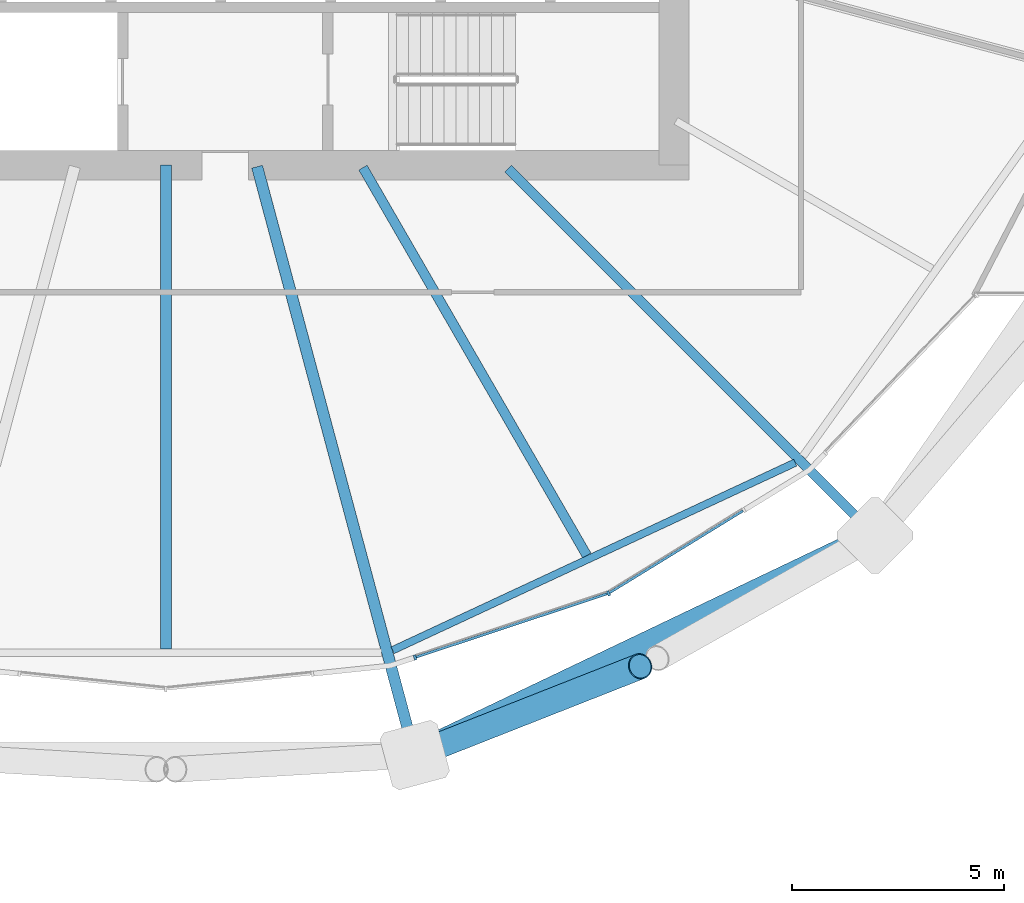
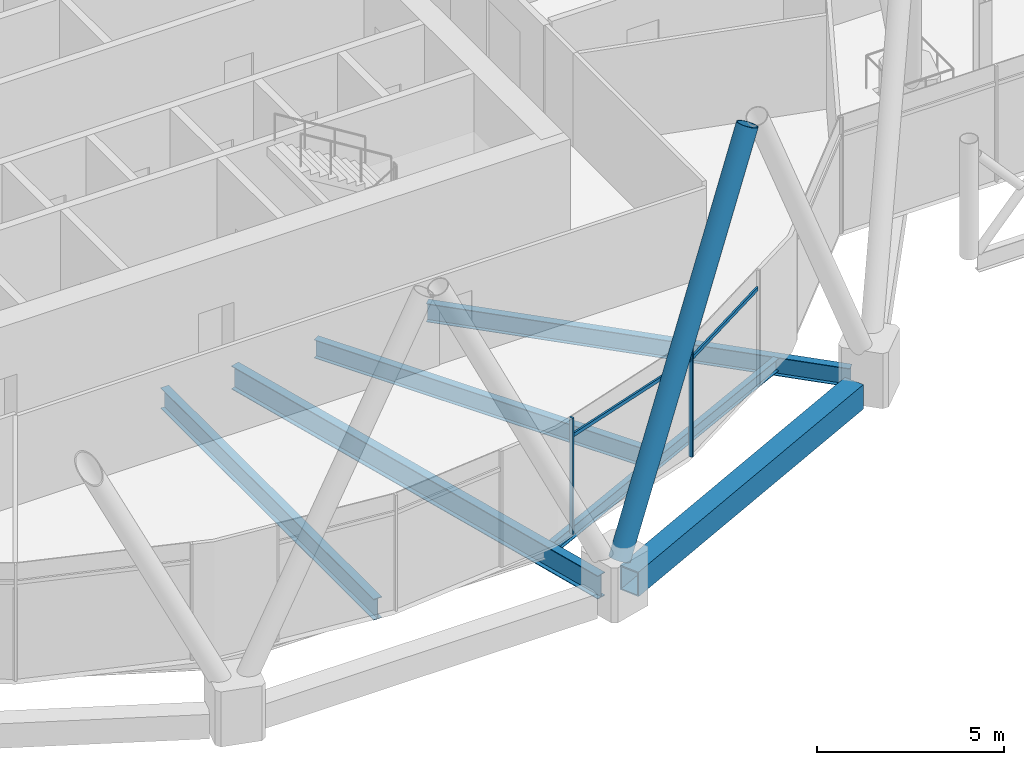
# One storey, part 4 of 35: 6 beams, 5 members, 1 element without a shape of its own.
"""IFC4 building model written with IfcOpenShell, lengths in metres."""

from ifc_helpers import new_model, si_unit, direction, frame, origin, origin_2d, place, context, subcontext, project, spatial, rectangle, hollow_rectangle, hollow_circle, i_section, extrude, material, material_profile, profile_set, type_object, element, aggregate, save


model = new_model("IFC4")

# Units and contexts
model_context = context("Model", 3, precision=1e-05, world=origin(), true_north=direction((0.0, 1.0)))
body_context = subcontext(model_context, "Body", "Model", "MODEL_VIEW")
ifc_project = project(units=[si_unit("LENGTHUNIT", "METRE"), si_unit("AREAUNIT", "SQUARE_METRE"), si_unit("VOLUMEUNIT", "CUBIC_METRE"), si_unit("PLANEANGLEUNIT", "RADIAN"), si_unit("MASSUNIT", "GRAM", prefix="KILO")], contexts=[model_context])

# Site, building, storey
site_placement = place(None, origin())
site = spatial("IfcSite", under=ifc_project, at=site_placement, CompositionType="ELEMENT")
building_placement = place(site_placement, origin())
building = spatial("IfcBuilding", under=site, at=building_placement, Name="Rimbun Link Towers", CompositionType="ELEMENT")
storey_placement = place(building_placement, frame((0.0, 0.0, 146.800048828125)))
storey = spatial("IfcBuildingStorey", under=building, at=storey_placement, Name="L35", CompositionType="ELEMENT", Elevation=146.800048828125)

# Curtain wall, members
ifc_material_1 = material(Name="Aluminium 6063-T6 and low-iron glass", Category="aluminium")
curtain_wall_type = type_object("IfcCurtainWallType", Name="CW4 link block wall", PredefinedType="NOTDEFINED", material=ifc_material_1)
curtain_wall_placement = place(storey_placement, origin())
curtain_wall = element("IfcCurtainWall", 1, at=curtain_wall_placement, inside=storey, type_object=curtain_wall_type, Name="CW4 L35 T1", PredefinedType="NOTDEFINED")
ifc_material_2 = material(Name="Aluminium 6063-T6", Category="aluminium")
ifc_material_profile_1 = material_profile(ifc_material_2, rectangle(XDim=0.1201171875, YDim=0.06005859375, at=origin_2d()), Name="MULLION 60X120")
ifc_profile_set_1 = profile_set([ifc_material_profile_1], Name="Aluminium 6063-T6")
member_type_1 = type_object("IfcMemberType", Name="CW4 mullion 60X120", PredefinedType="MULLION", material=ifc_profile_set_1)
member_1_placement = place(storey_placement, frame((-21.29931640625, -18.11181640625, 0.0), z_axis=(0.0, 0.0, 1.0), x_axis=(0.421697332152, -0.906736654192, 0.0)))
member_1 = element("IfcMember", 2, at=member_1_placement, type_object=member_type_1, Name="CW4 mullion", PredefinedType="MULLION", context=body_context, shape_type="SweptSolid", body=[
    extrude(rectangle(XDim=0.1201171875, YDim=0.06005859375, at=origin_2d()), origin(), (0.0, 0.0, 1.0), 3.800048828125),
])
member_2_placement = place(storey_placement, frame((-25.867431640625, -19.626220703125, 0.0), z_axis=(0.0, 0.0, 1.0), x_axis=(0.314567961741, -0.949234953763, 0.0)))
member_2 = element("IfcMember", 3, at=member_2_placement, type_object=member_type_1, Name="CW4 mullion", PredefinedType="MULLION", context=body_context, shape_type="SweptSolid", body=[
    extrude(rectangle(XDim=0.1201171875, YDim=0.06005859375, at=origin_2d()), origin(), (0.0, 0.0, 1.0), 3.800048828125),
])
ifc_material_3 = material(Name="Aluminium 6063-T6", Category="aluminium")
ifc_material_profile_2 = material_profile(ifc_material_3, rectangle(XDim=0.06005859375, YDim=0.1201171875, at=origin_2d()), Name="TRANSOM 60X120")
ifc_profile_set_2 = profile_set([ifc_material_profile_2], Name="Aluminium 6063-T6")
member_type_2 = type_object("IfcMemberType", Name="CW4 transom 60X120", PredefinedType="USERDEFINED", material=ifc_profile_set_2)
member_3_placement = place(storey_placement, frame((-21.334716796875, -18.1220703125, 3.199951171875), z_axis=(-0.949232304469, -0.314575956093, 0.0), x_axis=(0.314575956093, -0.949232304469, 0.0)))
member_3 = element("IfcMember", 4, at=member_3_placement, type_object=member_type_2, Name="CW4 transom", ObjectType="TRANSOM", PredefinedType="USERDEFINED", context=body_context, shape_type="SweptSolid", body=[
    extrude(rectangle(XDim=0.06005859375, YDim=0.1201171875, at=origin_2d()), origin(), (0.0, 0.0, 1.0), 4.745849609375),
])
member_4_placement = place(storey_placement, frame((-18.125, -16.1611328125, 3.199951171875), z_axis=(-0.85218054514, -0.523247855691, 0.0), x_axis=(0.523247855691, -0.85218054514, 0.0)))
member_4 = element("IfcMember", 5, at=member_4_placement, type_object=member_type_2, Name="CW4 transom", ObjectType="TRANSOM", PredefinedType="USERDEFINED", context=body_context, shape_type="SweptSolid", body=[
    extrude(rectangle(XDim=0.06005859375, YDim=0.1201171875, at=origin_2d()), origin(), (0.0, 0.0, 1.0), 3.688720703125),
])
aggregate(curtain_wall, [member_1, member_2, member_3, member_4])

# Member
ifc_material_4 = material(Name="Steel S355J2H", Category="steel")
ifc_material_profile_3 = material_profile(ifc_material_4, hollow_circle(Radius=0.3046875, WallThickness=0.02490234375, at=origin_2d()), Name="Diagrid diagonal CHS 610x25")
ifc_profile_set_3 = profile_set([ifc_material_profile_3], Name="Steel S355J2H")
member_type_3 = type_object("IfcMemberType", Name="Diagrid diagonal CHS 610x25", PredefinedType="BRACE", material=ifc_profile_set_3)
member_5_placement = place(storey_placement, frame((-25.66845703125, -21.8505859375, 0.44873046875), z_axis=(0.410123535284, 0.161506315636, 0.897615951182), x_axis=(-0.366411586926, 0.93045287305, 0.0)))
element("IfcMember", 6, at=member_5_placement, inside=storey, type_object=member_type_3, Name="Diagrid diagonal T1 L35-L38 19b", PredefinedType="BRACE", context=body_context, shape_type="SweptSolid", body=[
    extrude(hollow_circle(Radius=0.3046875, WallThickness=0.02490234375, at=origin_2d()), origin(), (0.0, 0.0, 1.0), 12.480224609375),
])

# Beams
ifc_material_5 = material(Name="Steel S355J2", Category="steel")
ifc_material_profile_4 = material_profile(ifc_material_5, hollow_rectangle(XDim=0.60009765625, YDim=0.800048828125, WallThickness=0.0400390625, at=origin_2d()), Name="Exoskeleton ring girder BOX 600x800x40")
ifc_profile_set_4 = profile_set([ifc_material_profile_4], Name="Steel S355J2")
beam_type_1 = type_object("IfcBeamType", Name="Exoskeleton ring girder BOX 600x800x40", PredefinedType="BEAM", material=ifc_profile_set_4)
beam_1_placement = place(storey_placement, frame((-25.24169921875, -21.6298828125, -0.56005859375), z_axis=(0.902515488707, 0.4306573959, 0.0), x_axis=(-0.4306573959, 0.902515488707, 0.0)))
element("IfcBeam", 7, at=beam_1_placement, inside=storey, type_object=beam_type_1, Name="Exoskeleton ring girder L35 07", PredefinedType="BEAM", context=body_context, shape_type="SweptSolid", body=[
    extrude(hollow_rectangle(XDim=0.60009765625, YDim=0.800048828125, WallThickness=0.0400390625, at=origin_2d()), origin(), (0.0, 0.0, 1.0), 10.642333984375),
])
ifc_material_6 = material(Name="Steel S355J2", Category="steel")
ifc_material_profile_5 = material_profile(ifc_material_6, i_section(OverallWidth=0.177978515625, OverallDepth=0.406494140625, WebThickness=0.0078125, FlangeThickness=0.0126953125, at=origin_2d()), Name="UB 406x178x60")
ifc_profile_set_5 = profile_set([ifc_material_profile_5], Name="Steel S355J2")
beam_type_2 = type_object("IfcBeamType", Name="UB 406x178x60", PredefinedType="BEAM", material=ifc_profile_set_5)
beam_2_placement = place(storey_placement, frame((-26.397705078125, -19.455810546875, -0.38330078125), z_axis=(0.906398229698, 0.422424252618, 0.0), x_axis=(-0.422424252618, 0.906398229698, 0.0)))
element("IfcBeam", 8, at=beam_2_placement, inside=storey, type_object=beam_type_2, Name="Edge beam T1 L35 19-21", PredefinedType="BEAM", context=body_context, shape_type="SweptSolid", body=[
    extrude(i_section(OverallWidth=0.177978515625, OverallDepth=0.406494140625, WebThickness=0.0078125, FlangeThickness=0.0126953125, at=origin_2d()), origin(), (0.0, 0.0, 1.0), 10.491455078125),
])
ifc_material_7 = material(Name="Steel S355J2", Category="steel")
ifc_material_profile_6 = material_profile(ifc_material_7, i_section(OverallWidth=0.2275390625, OverallDepth=0.6025390625, WebThickness=0.010498046875, FlangeThickness=0.014892578125, at=origin_2d()), Name="UB 610x229x101")
ifc_profile_set_6 = profile_set([ifc_material_profile_6], Name="Steel S355J2")
beam_type_3 = type_object("IfcBeamType", Name="UB 610x229x101", PredefinedType="BEAM", material=ifc_profile_set_6)
beam_3_placement = place(storey_placement, frame((-27.097900390625, -8.057861328125, -0.4814453125), z_axis=(0.500014158692, -0.866017229106, 0.0), x_axis=(0.866017229106, 0.500014158692, 0.0)))
element("IfcBeam", 9, at=beam_3_placement, inside=storey, type_object=beam_type_3, Name="Radial beam T1 L35 20", PredefinedType="BEAM", context=body_context, shape_type="SweptSolid", body=[
    extrude(i_section(OverallWidth=0.2275390625, OverallDepth=0.6025390625, WebThickness=0.010498046875, FlangeThickness=0.014892578125, at=origin_2d()), origin(), (0.0, 0.0, 1.0), 10.577392578125),
])
beam_4_placement = place(storey_placement, frame((-23.668701171875, -8.081298828125, -0.4814453125), z_axis=(0.707106781187, -0.707106781187, 0.0), x_axis=(0.707106781187, 0.707106781187, 0.0)))
element("IfcBeam", 10, at=beam_4_placement, inside=storey, type_object=beam_type_3, Name="Radial beam T1 L35 21", PredefinedType="BEAM", context=body_context, shape_type="SweptSolid", body=[
    extrude(i_section(OverallWidth=0.2275390625, OverallDepth=0.6025390625, WebThickness=0.010498046875, FlangeThickness=0.014892578125, at=origin_2d()), origin(), (0.0, 0.0, 1.0), 11.75244140625),
])
ifc_material_8 = material(Name="Steel S355J2", Category="steel")
ifc_material_profile_7 = material_profile(ifc_material_8, i_section(OverallWidth=0.253662109375, OverallDepth=0.68359375, WebThickness=0.012451171875, FlangeThickness=0.01904296875, at=origin_2d()), Name="UB 686x254x140")
ifc_profile_set_7 = profile_set([ifc_material_profile_7], Name="Steel S355J2")
beam_type_4 = type_object("IfcBeamType", Name="UB 686x254x140", PredefinedType="BEAM", material=ifc_profile_set_7)
beam_5_placement = place(storey_placement, frame((-31.75, -8.0009765625, -0.521728515625), z_axis=(0.0, -1.0, 0.0), x_axis=(1.0, 0.0, 0.0)))
element("IfcBeam", 11, at=beam_5_placement, inside=storey, type_object=beam_type_4, Name="Radial beam T1 L35 18", PredefinedType="BEAM", context=body_context, shape_type="SweptSolid", body=[
    extrude(i_section(OverallWidth=0.253662109375, OverallDepth=0.68359375, WebThickness=0.012451171875, FlangeThickness=0.01904296875, at=origin_2d()), origin(), (0.0, 0.0, 1.0), 11.422607421875),
])
ifc_material_9 = material(Name="Steel S355J2", Category="steel")
ifc_material_profile_8 = material_profile(ifc_material_9, i_section(OverallWidth=0.2666015625, OverallDepth=0.76220703125, WebThickness=0.014404296875, FlangeThickness=0.021484375, at=origin_2d()), Name="UB 762x267x173")
ifc_profile_set_8 = profile_set([ifc_material_profile_8], Name="Steel S355J2")
beam_type_5 = type_object("IfcBeamType", Name="UB 762x267x173", PredefinedType="BEAM", material=ifc_profile_set_8)
beam_6_placement = place(storey_placement, frame((-29.596923828125, -8.035400390625, -0.56103515625), z_axis=(0.258816935053, -0.965926391673, 0.0), x_axis=(0.965926391673, 0.258816935053, 0.0)))
element("IfcBeam", 12, at=beam_6_placement, inside=storey, type_object=beam_type_5, Name="Radial beam T1 L35 19", PredefinedType="BEAM", context=body_context, shape_type="SweptSolid", body=[
    extrude(i_section(OverallWidth=0.2666015625, OverallDepth=0.76220703125, WebThickness=0.014404296875, FlangeThickness=0.021484375, at=origin_2d()), origin(), (0.0, 0.0, 1.0), 13.88623046875),
])

save(model, "model.ifc")
